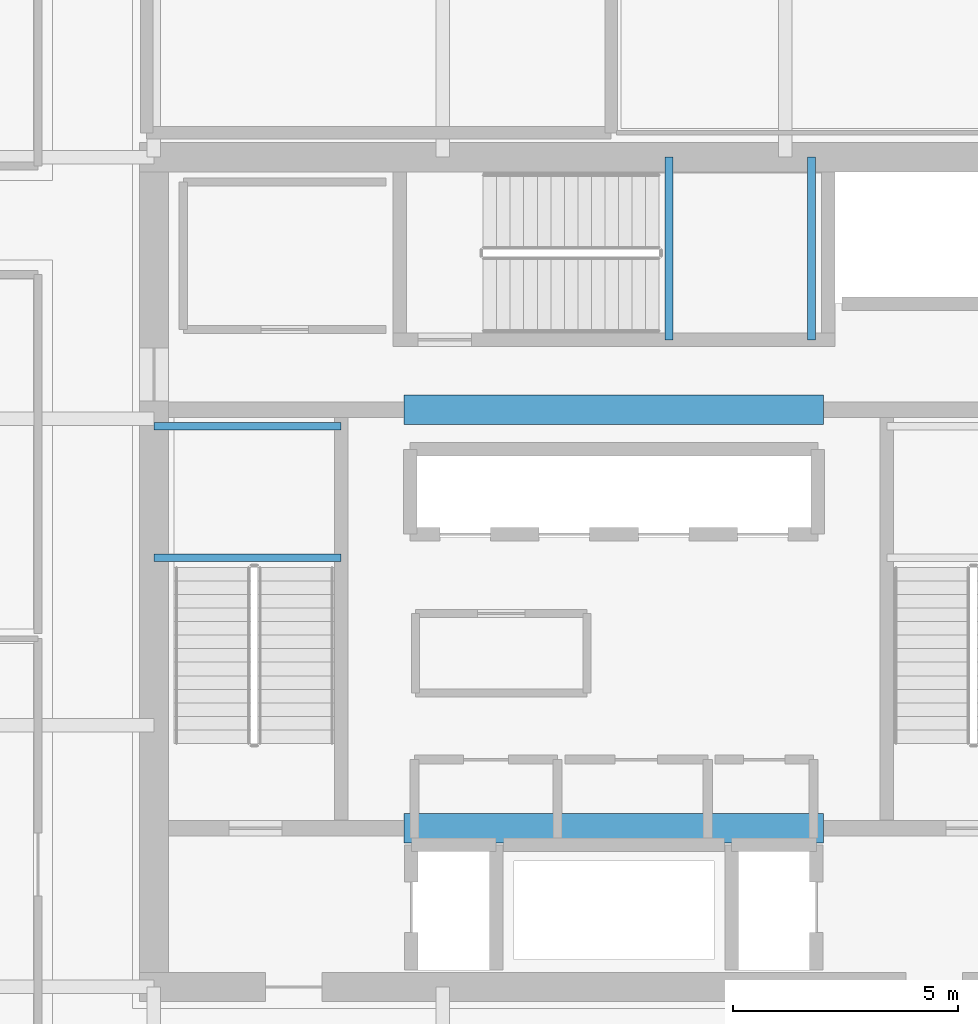
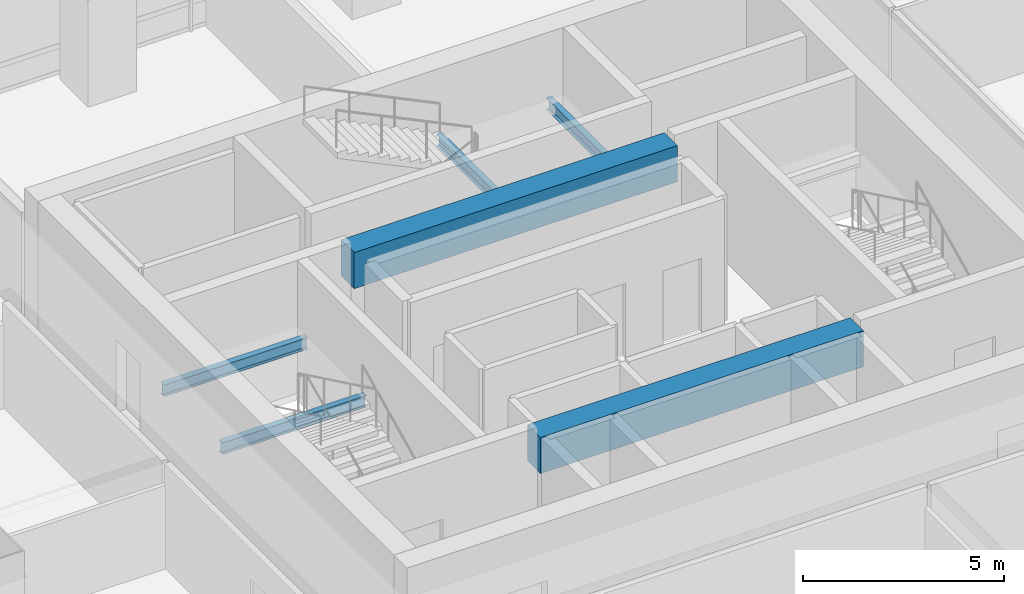
# One storey, part 12 of 36: 6 beams.
"""IFC4 building model written with IfcOpenShell, lengths in metres."""

from ifc_helpers import new_model, si_unit, direction, frame, origin, origin_2d, place, context, subcontext, project, spatial, rectangle, i_section, extrude, material, material_profile, profile_set, type_object, element, save


model = new_model("IFC4")

# Units and contexts
model_context = context("Model", 3, precision=1e-05, world=origin(), true_north=direction((0.0, 1.0)))
body_context = subcontext(model_context, "Body", "Model", "MODEL_VIEW")
ifc_project = project(units=[si_unit("LENGTHUNIT", "METRE"), si_unit("AREAUNIT", "SQUARE_METRE"), si_unit("VOLUMEUNIT", "CUBIC_METRE"), si_unit("PLANEANGLEUNIT", "RADIAN"), si_unit("MASSUNIT", "GRAM", prefix="KILO")], contexts=[model_context])

# Site, building, storey
site_placement = place(None, origin())
site = spatial("IfcSite", under=ifc_project, at=site_placement, CompositionType="ELEMENT")
building_placement = place(site_placement, origin())
building = spatial("IfcBuilding", under=site, at=building_placement, Name="Punatoya Terracotta Tower", CompositionType="ELEMENT")
storey_placement = place(building_placement, frame((0.0, 0.0, 180.300048828125)))
storey = spatial("IfcBuildingStorey", under=building, at=storey_placement, Name="L42", CompositionType="ELEMENT", Elevation=180.300048828125)

# Beams
ifc_material_1 = material(Name="Concrete C60/75", Category="concrete")
ifc_material_profile_1 = material_profile(ifc_material_1, rectangle(XDim=0.64990234375, YDim=1.10009765625, at=origin_2d()))
ifc_profile_set_1 = profile_set([ifc_material_profile_1], Name="Concrete C60/75")
beam_type_1 = type_object("IfcBeamType", Name="BM-RC-1100", PredefinedType="LINTEL", material=ifc_profile_set_1)
for number, where, z_axis, x_axis, name in (
    (1, (-4.64990234375, -5.679931640625, 3.280029296875), (1.0, 0.0, 0.0), (0.0, 1.0, 0.0), "L42 Core Coupling Lintel CSW"),
    (2, (-4.64990234375, 3.60009765625, 3.280029296875), (1.0, 0.0, 0.0), (0.0, 1.0, 0.0), "L42 Core Coupling Lintel CNW"),
):
    element("IfcBeam", number, at=place(storey_placement, frame(where, z_axis=z_axis, x_axis=x_axis)), inside=storey, type_object=beam_type_1, Name=name, PredefinedType="LINTEL", context=body_context, shape_type="SweptSolid", body=[
        extrude(rectangle(XDim=0.64990234375, YDim=1.10009765625, at=origin_2d()), origin(), (0.0, 0.0, 1.0), 9.2998046875),
    ])
ifc_material_2 = material(Name="Steel S355", Category="steel")
ifc_material_profile_2 = material_profile(ifc_material_2, i_section(OverallWidth=0.169921875, OverallDepth=0.360107421875, WebThickness=0.008056640625, FlangeThickness=0.0126953125, FilletRadius=0.01806640625, at=origin_2d()))
ifc_profile_set_2 = profile_set([ifc_material_profile_2], Name="Steel S355")
beam_type_2 = type_object("IfcBeamType", Name="BM-SEC-360", PredefinedType="JOIST", material=ifc_profile_set_2)
for number, where, z_axis, x_axis, name in (
    (3, (-10.199951171875, 0.320068359375, 1.64501953125), (1.0, 0.0, 0.0), (0.0, 1.0, 0.0), "BM-L42-ST-1-LD1A"),
    (4, (-10.199951171875, 3.22998046875, 1.64501953125), (1.0, 0.0, 0.0), (0.0, 1.0, 0.0), "BM-L42-ST-1-LD1B"),
):
    element("IfcBeam", number, at=place(storey_placement, frame(where, z_axis=z_axis, x_axis=x_axis)), inside=storey, type_object=beam_type_2, Name=name, PredefinedType="JOIST", context=body_context, shape_type="SweptSolid", body=[
        extrude(i_section(OverallWidth=0.169921875, OverallDepth=0.360107421875, WebThickness=0.008056640625, FlangeThickness=0.0126953125, FilletRadius=0.01806640625, at=origin_2d()), origin(), (0.0, 0.0, 1.0), 4.14990234375),
    ])
for number, where, z_axis, x_axis, name in (
    (5, (1.219970703125, 5.14990234375, 1.64501953125), (0.0, 1.0, 0.0), (-1.0, 0.0, 0.0), "BM-L42-ST-3-LD1A"),
    (6, (4.3798828125, 5.14990234375, 1.64501953125), (0.0, 1.0, 0.0), (-1.0, 0.0, 0.0), "BM-L42-ST-3-LD1B"),
):
    element("IfcBeam", number, at=place(storey_placement, frame(where, z_axis=z_axis, x_axis=x_axis)), inside=storey, type_object=beam_type_2, Name=name, PredefinedType="JOIST", context=body_context, shape_type="SweptSolid", body=[
        extrude(i_section(OverallWidth=0.169921875, OverallDepth=0.360107421875, WebThickness=0.008056640625, FlangeThickness=0.0126953125, FilletRadius=0.01806640625, at=origin_2d()), origin(), (0.0, 0.0, 1.0), 4.050048828125),
    ])

save(model, "model.ifc")
